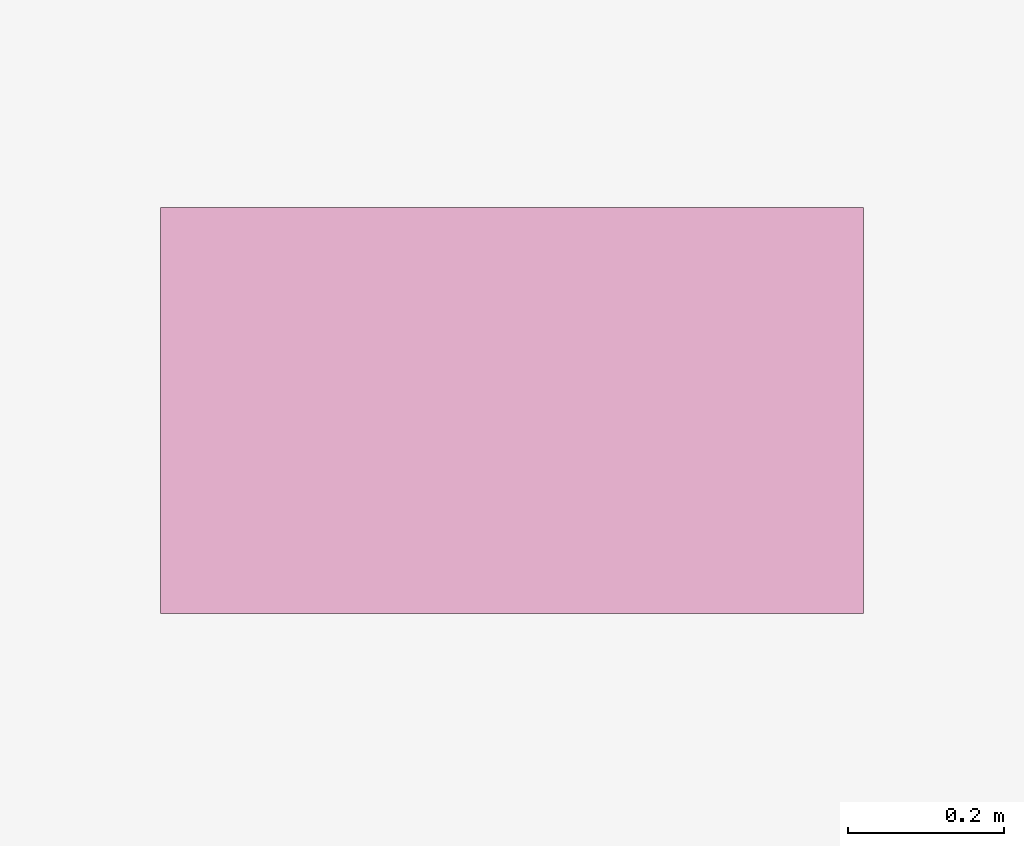
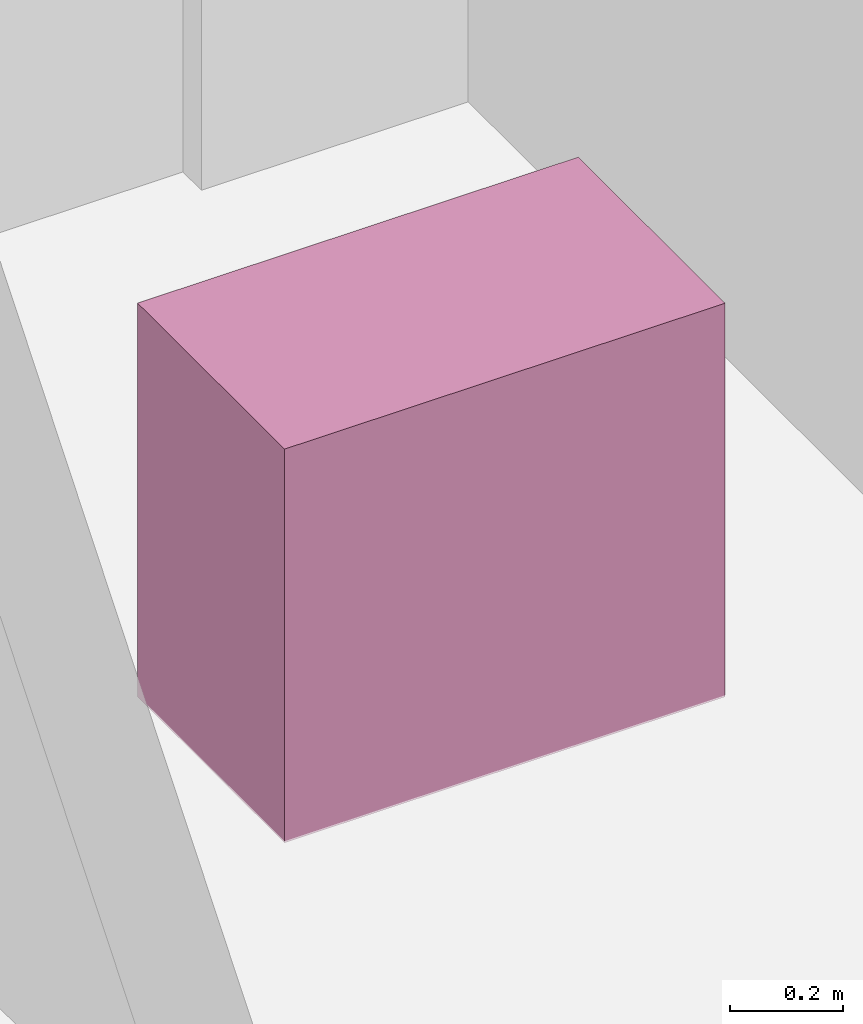
# One storey, part 35 of 35: 1 furnishing.
"""IFC4 building model written with IfcOpenShell, lengths in metres."""

from ifc_helpers import new_model, si_unit, direction, frame, origin, origin_2d, place, context, subcontext, project, spatial, rectangle, extrude, material, type_object, element, save


model = new_model("IFC4")

# Units and contexts
model_context = context("Model", 3, precision=1e-05, world=origin(), true_north=direction((0.0, 1.0)))
body_context = subcontext(model_context, "Body", "Model", "MODEL_VIEW")
ifc_project = project(units=[si_unit("LENGTHUNIT", "METRE"), si_unit("AREAUNIT", "SQUARE_METRE"), si_unit("VOLUMEUNIT", "CUBIC_METRE"), si_unit("PLANEANGLEUNIT", "RADIAN"), si_unit("MASSUNIT", "GRAM", prefix="KILO")], contexts=[model_context])

# Site, building, storey
site_placement = place(None, origin())
site = spatial("IfcSite", under=ifc_project, at=site_placement, CompositionType="ELEMENT")
building_placement = place(site_placement, origin())
building = spatial("IfcBuilding", under=site, at=building_placement, Name="Vorneva Point Tower", CompositionType="ELEMENT")
storey_placement = place(building_placement, frame((0.0, 0.0, 45.0)))
storey = spatial("IfcBuildingStorey", under=building, at=storey_placement, Name="L11", CompositionType="ELEMENT", Elevation=45.0)

# Furnishing
ifc_material = material(Name="Vitreous china and granite top", Category="masonry")
furniture_type = type_object("IfcFurnitureType", Name="FUR-VAN-900", AssemblyPlace="NOTDEFINED", PredefinedType="NOTDEFINED", material=ifc_material)
furnishing_placement = place(storey_placement, frame((34.52490234375, 32.1201171875, -0.005126953125), z_axis=(0.0, 0.0, 1.0), x_axis=(1.0, 0.0, 0.0)))
element("IfcFurnishingElement", 1, at=furnishing_placement, inside=storey, type_object=furniture_type, Name="L11 Accessible WC Vanity Unit", ObjectType="L11 Accessible WC Vanity Unit", context=body_context, shape_type="SweptSolid", body=[
    extrude(rectangle(XDim=0.89990234375, YDim=0.52001953125, at=origin_2d()), origin(), (0.0, 0.0, 1.0), 0.85009765625),
])

save(model, "model.ifc")
